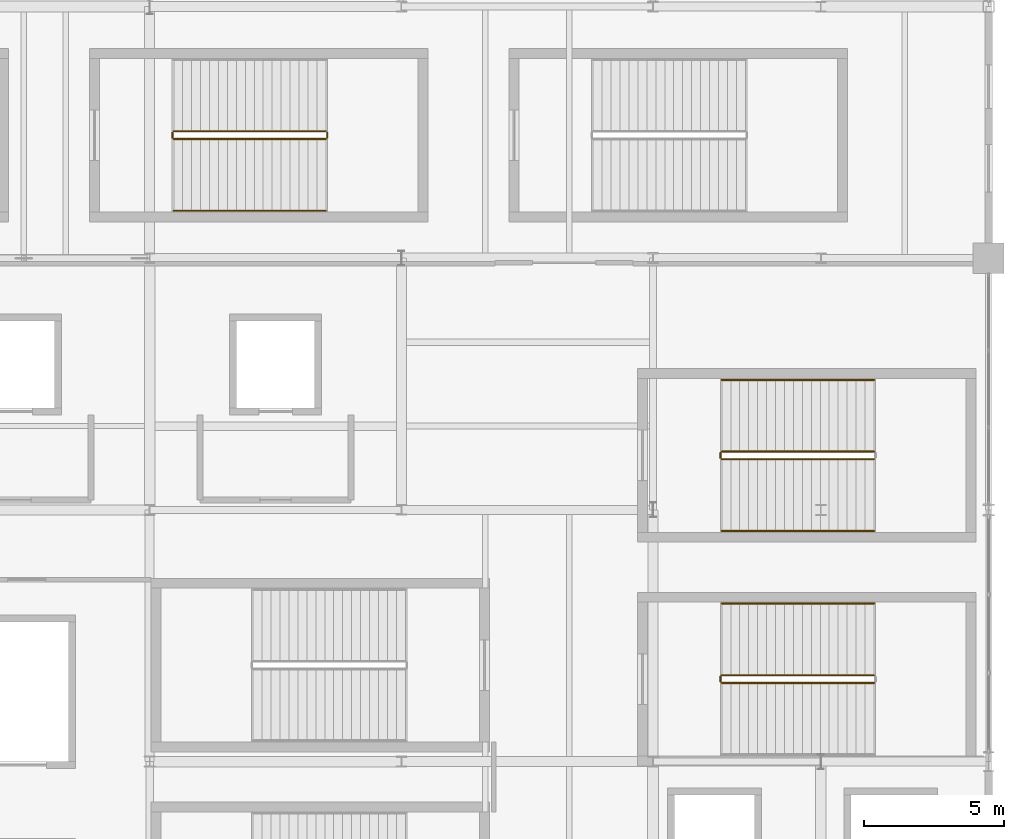
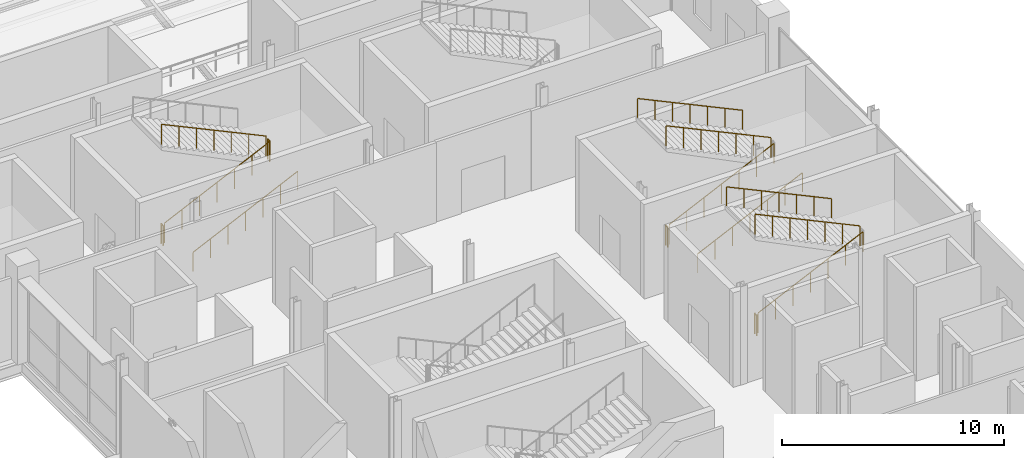
# One storey, part 115 of 119: 14 railings.
"""IFC4 building model written with IfcOpenShell, lengths in metres."""

from ifc_helpers import new_model, si_unit, direction, frame, origin, origin_2d, place, context, subcontext, project, spatial, circle, extrude, material, type_object, element, save


model = new_model("IFC4")

# Units and contexts
model_context = context("Model", 3, precision=1e-05, world=origin(), true_north=direction((0.0, 1.0)))
body_context = subcontext(model_context, "Body", "Model", "MODEL_VIEW")
ifc_project = project(units=[si_unit("LENGTHUNIT", "METRE"), si_unit("AREAUNIT", "SQUARE_METRE"), si_unit("VOLUMEUNIT", "CUBIC_METRE"), si_unit("PLANEANGLEUNIT", "RADIAN"), si_unit("MASSUNIT", "GRAM", prefix="KILO")], contexts=[model_context])

# Site, building, storey
site_placement = place(None, origin())
site = spatial("IfcSite", under=ifc_project, at=site_placement, CompositionType="ELEMENT")
building_placement = place(site_placement, origin())
building = spatial("IfcBuilding", under=site, at=building_placement, Name="Qamarlyn Nura Convention Centre", CompositionType="ELEMENT")
storey_placement = place(building_placement, frame((0.0, 0.0, 5.39990234375)))
storey = spatial("IfcBuildingStorey", under=building, at=storey_placement, Name="L01", CompositionType="ELEMENT", Elevation=5.39990234375)

# Railings
ifc_material = material(Name="Marine Grade 316 stainless steel", Category="steel")
railing_type_1 = type_object("IfcRailingType", Name="GRD-STAIR-112", PredefinedType="BALUSTRADE", material=ifc_material)
railing_1_placement = place(storey_placement, frame((182.4599609375, 65.81005859375, 0.150146484375)))
element("IfcRailing", 1, at=railing_1_placement, inside=storey, type_object=railing_type_1, Name="L01 ST-13 stair guard 1", PredefinedType="BALUSTRADE", context=body_context, shape_type="SweptSolid", body=[
    extrude(circle(Radius=0.02392578125, at=origin_2d()), frame((0.0, 0.0, 1.09619140625), z_axis=(0.90545405566, 0.0, 0.424444287379), x_axis=(0.0, 1.0, 0.0)), (0.0, 0.0, 1.0), 6.008056640625),
    extrude(circle(Radius=0.02099609375, at=origin_2d()), origin(), (0.0, 0.0, 1.0), 1.070068359375),
    extrude(circle(Radius=0.02099609375, at=origin_2d()), frame((0.90673828125, 0.0, 0.425048828125)), (0.0, 0.0, 1.0), 1.070068359375),
    extrude(circle(Radius=0.02099609375, at=origin_2d()), frame((1.813232421875, 0.0, 0.85009765625)), (0.0, 0.0, 1.0), 1.070068359375),
    extrude(circle(Radius=0.02099609375, at=origin_2d()), frame((2.719970703125, 0.0, 1.27490234375)), (0.0, 0.0, 1.0), 1.070068359375),
    extrude(circle(Radius=0.02099609375, at=origin_2d()), frame((3.626708984375, 0.0, 1.699951171875)), (0.0, 0.0, 1.0), 1.070068359375),
    extrude(circle(Radius=0.02099609375, at=origin_2d()), frame((4.533203125, 0.0, 2.125)), (0.0, 0.0, 1.0), 1.070068359375),
    extrude(circle(Radius=0.02099609375, at=origin_2d()), frame((5.43994140625, 0.0, 2.550048828125)), (0.0, 0.0, 1.0), 1.070068359375),
])
railing_2_placement = place(storey_placement, frame((187.89990234375, 66.090087890625, 2.85009765625)))
element("IfcRailing", 2, at=railing_2_placement, inside=storey, type_object=railing_type_1, Name="L01 ST-13 stair guard 3", PredefinedType="BALUSTRADE", context=body_context, shape_type="SweptSolid", body=[
    extrude(circle(Radius=0.02392578125, at=origin_2d()), frame((0.0, 0.0, 1.09619140625), z_axis=(-0.90545405566, 0.0, 0.424444287379), x_axis=(0.0, -1.0, 0.0)), (0.0, 0.0, 1.0), 6.008056640625),
    extrude(circle(Radius=0.02099609375, at=origin_2d()), origin(), (0.0, 0.0, 1.0), 1.070068359375),
    extrude(circle(Radius=0.02099609375, at=origin_2d()), frame((-0.90673828125, 0.0, 0.425048828125)), (0.0, 0.0, 1.0), 1.070068359375),
    extrude(circle(Radius=0.02099609375, at=origin_2d()), frame((-1.813232421875, 0.0, 0.85009765625)), (0.0, 0.0, 1.0), 1.070068359375),
    extrude(circle(Radius=0.02099609375, at=origin_2d()), frame((-2.719970703125, 0.0, 1.27490234375)), (0.0, 0.0, 1.0), 1.070068359375),
    extrude(circle(Radius=0.02099609375, at=origin_2d()), frame((-3.626708984375, 0.0, 1.699951171875)), (0.0, 0.0, 1.0), 1.070068359375),
    extrude(circle(Radius=0.02099609375, at=origin_2d()), frame((-4.533203125, 0.0, 2.125)), (0.0, 0.0, 1.0), 1.070068359375),
    extrude(circle(Radius=0.02099609375, at=origin_2d()), frame((-5.43994140625, 0.0, 2.550048828125)), (0.0, 0.0, 1.0), 1.070068359375),
])
railing_3_placement = place(storey_placement, frame((182.409912109375, 65.860107421875, 0.0)))
element("IfcRailing", 3, at=railing_3_placement, inside=storey, type_object=railing_type_1, Name="L01 ST-13 stair guard 4", PredefinedType="BALUSTRADE", context=body_context, shape_type="SweptSolid", body=[
    extrude(circle(Radius=0.02392578125, at=origin_2d()), frame((0.0, 0.0, 1.09619140625), z_axis=(0.0, 1.0, 0.0), x_axis=(-1.0, 0.0, 0.0)), (0.0, 0.0, 1.0), 0.179931640625),
    extrude(circle(Radius=0.02099609375, at=origin_2d()), origin(), (0.0, 0.0, 1.0), 1.070068359375),
    extrude(circle(Radius=0.02099609375, at=origin_2d()), frame((0.0, 0.179931640625, 0.0)), (0.0, 0.0, 1.0), 1.070068359375),
])
railing_4_placement = place(storey_placement, frame((182.4599609375, 73.81005859375, 0.150146484375)))
element("IfcRailing", 4, at=railing_4_placement, inside=storey, type_object=railing_type_1, Name="L01 ST-14 stair guard 1", PredefinedType="BALUSTRADE", context=body_context, shape_type="SweptSolid", body=[
    extrude(circle(Radius=0.02392578125, at=origin_2d()), frame((0.0, 0.0, 1.09619140625), z_axis=(0.90545405566, 0.0, 0.424444287379), x_axis=(0.0, 1.0, 0.0)), (0.0, 0.0, 1.0), 6.008056640625),
    extrude(circle(Radius=0.02099609375, at=origin_2d()), origin(), (0.0, 0.0, 1.0), 1.070068359375),
    extrude(circle(Radius=0.02099609375, at=origin_2d()), frame((0.90673828125, 0.0, 0.425048828125)), (0.0, 0.0, 1.0), 1.070068359375),
    extrude(circle(Radius=0.02099609375, at=origin_2d()), frame((1.813232421875, 0.0, 0.85009765625)), (0.0, 0.0, 1.0), 1.070068359375),
    extrude(circle(Radius=0.02099609375, at=origin_2d()), frame((2.719970703125, 0.0, 1.27490234375)), (0.0, 0.0, 1.0), 1.070068359375),
    extrude(circle(Radius=0.02099609375, at=origin_2d()), frame((3.626708984375, 0.0, 1.699951171875)), (0.0, 0.0, 1.0), 1.070068359375),
    extrude(circle(Radius=0.02099609375, at=origin_2d()), frame((4.533203125, 0.0, 2.125)), (0.0, 0.0, 1.0), 1.070068359375),
    extrude(circle(Radius=0.02099609375, at=origin_2d()), frame((5.43994140625, 0.0, 2.550048828125)), (0.0, 0.0, 1.0), 1.070068359375),
])
railing_5_placement = place(storey_placement, frame((187.89990234375, 74.090087890625, 2.85009765625)))
element("IfcRailing", 5, at=railing_5_placement, inside=storey, type_object=railing_type_1, Name="L01 ST-14 stair guard 3", PredefinedType="BALUSTRADE", context=body_context, shape_type="SweptSolid", body=[
    extrude(circle(Radius=0.02392578125, at=origin_2d()), frame((0.0, 0.0, 1.09619140625), z_axis=(-0.90545405566, 0.0, 0.424444287379), x_axis=(0.0, -1.0, 0.0)), (0.0, 0.0, 1.0), 6.008056640625),
    extrude(circle(Radius=0.02099609375, at=origin_2d()), origin(), (0.0, 0.0, 1.0), 1.070068359375),
    extrude(circle(Radius=0.02099609375, at=origin_2d()), frame((-0.90673828125, 0.0, 0.425048828125)), (0.0, 0.0, 1.0), 1.070068359375),
    extrude(circle(Radius=0.02099609375, at=origin_2d()), frame((-1.813232421875, 0.0, 0.85009765625)), (0.0, 0.0, 1.0), 1.070068359375),
    extrude(circle(Radius=0.02099609375, at=origin_2d()), frame((-2.719970703125, 0.0, 1.27490234375)), (0.0, 0.0, 1.0), 1.070068359375),
    extrude(circle(Radius=0.02099609375, at=origin_2d()), frame((-3.626708984375, 0.0, 1.699951171875)), (0.0, 0.0, 1.0), 1.070068359375),
    extrude(circle(Radius=0.02099609375, at=origin_2d()), frame((-4.533203125, 0.0, 2.125)), (0.0, 0.0, 1.0), 1.070068359375),
    extrude(circle(Radius=0.02099609375, at=origin_2d()), frame((-5.43994140625, 0.0, 2.550048828125)), (0.0, 0.0, 1.0), 1.070068359375),
])
railing_6_placement = place(storey_placement, frame((182.409912109375, 73.860107421875, 0.0)))
element("IfcRailing", 6, at=railing_6_placement, inside=storey, type_object=railing_type_1, Name="L01 ST-14 stair guard 4", PredefinedType="BALUSTRADE", context=body_context, shape_type="SweptSolid", body=[
    extrude(circle(Radius=0.02392578125, at=origin_2d()), frame((0.0, 0.0, 1.09619140625), z_axis=(0.0, 1.0, 0.0), x_axis=(-1.0, 0.0, 0.0)), (0.0, 0.0, 1.0), 0.179931640625),
    extrude(circle(Radius=0.02099609375, at=origin_2d()), origin(), (0.0, 0.0, 1.0), 1.070068359375),
    extrude(circle(Radius=0.02099609375, at=origin_2d()), frame((0.0, 0.179931640625, 0.0)), (0.0, 0.0, 1.0), 1.070068359375),
])
railing_7_placement = place(storey_placement, frame((162.860107421875, 85.260009765625, 0.150146484375)))
element("IfcRailing", 7, at=railing_7_placement, inside=storey, type_object=railing_type_1, Name="L01 ST-16 stair guard 1", PredefinedType="BALUSTRADE", context=body_context, shape_type="SweptSolid", body=[
    extrude(circle(Radius=0.02392578125, at=origin_2d()), frame((0.0, 0.0, 1.09619140625), z_axis=(0.90545405566, 0.0, 0.424444287379), x_axis=(0.0, 1.0, 0.0)), (0.0, 0.0, 1.0), 6.008056640625),
    extrude(circle(Radius=0.02099609375, at=origin_2d()), origin(), (0.0, 0.0, 1.0), 1.070068359375),
    extrude(circle(Radius=0.02099609375, at=origin_2d()), frame((0.90673828125, 0.0, 0.425048828125)), (0.0, 0.0, 1.0), 1.070068359375),
    extrude(circle(Radius=0.02099609375, at=origin_2d()), frame((1.813232421875, 0.0, 0.85009765625)), (0.0, 0.0, 1.0), 1.070068359375),
    extrude(circle(Radius=0.02099609375, at=origin_2d()), frame((2.719970703125, 0.0, 1.27490234375)), (0.0, 0.0, 1.0), 1.070068359375),
    extrude(circle(Radius=0.02099609375, at=origin_2d()), frame((3.626708984375, 0.0, 1.699951171875)), (0.0, 0.0, 1.0), 1.070068359375),
    extrude(circle(Radius=0.02099609375, at=origin_2d()), frame((4.533203125, 0.0, 2.125)), (0.0, 0.0, 1.0), 1.070068359375),
    extrude(circle(Radius=0.02099609375, at=origin_2d()), frame((5.43994140625, 0.0, 2.550048828125)), (0.0, 0.0, 1.0), 1.070068359375),
])
railing_8_placement = place(storey_placement, frame((168.35009765625, 85.31005859375, 2.7001953125)))
element("IfcRailing", 8, at=railing_8_placement, inside=storey, type_object=railing_type_1, Name="L01 ST-16 stair guard 2", PredefinedType="BALUSTRADE", context=body_context, shape_type="SweptSolid", body=[
    extrude(circle(Radius=0.02392578125, at=origin_2d()), frame((0.0, 0.0, 1.09619140625), z_axis=(0.0, 1.0, 0.0), x_axis=(-1.0, 0.0, 0.0)), (0.0, 0.0, 1.0), 0.179931640625),
    extrude(circle(Radius=0.02099609375, at=origin_2d()), origin(), (0.0, 0.0, 1.0), 1.070068359375),
    extrude(circle(Radius=0.02099609375, at=origin_2d()), frame((0.0, 0.179931640625, 0.0)), (0.0, 0.0, 1.0), 1.070068359375),
])
railing_9_placement = place(storey_placement, frame((168.300048828125, 85.5400390625, 2.85009765625)))
element("IfcRailing", 9, at=railing_9_placement, inside=storey, type_object=railing_type_1, Name="L01 ST-16 stair guard 3", PredefinedType="BALUSTRADE", context=body_context, shape_type="SweptSolid", body=[
    extrude(circle(Radius=0.02392578125, at=origin_2d()), frame((0.0, 0.0, 1.09619140625), z_axis=(-0.90545405566, 0.0, 0.424444287379), x_axis=(0.0, -1.0, 0.0)), (0.0, 0.0, 1.0), 6.008056640625),
    extrude(circle(Radius=0.02099609375, at=origin_2d()), origin(), (0.0, 0.0, 1.0), 1.070068359375),
    extrude(circle(Radius=0.02099609375, at=origin_2d()), frame((-0.90673828125, 0.0, 0.425048828125)), (0.0, 0.0, 1.0), 1.070068359375),
    extrude(circle(Radius=0.02099609375, at=origin_2d()), frame((-1.813232421875, 0.0, 0.85009765625)), (0.0, 0.0, 1.0), 1.070068359375),
    extrude(circle(Radius=0.02099609375, at=origin_2d()), frame((-2.719970703125, 0.0, 1.27490234375)), (0.0, 0.0, 1.0), 1.070068359375),
    extrude(circle(Radius=0.02099609375, at=origin_2d()), frame((-3.626708984375, 0.0, 1.699951171875)), (0.0, 0.0, 1.0), 1.070068359375),
    extrude(circle(Radius=0.02099609375, at=origin_2d()), frame((-4.533203125, 0.0, 2.125)), (0.0, 0.0, 1.0), 1.070068359375),
    extrude(circle(Radius=0.02099609375, at=origin_2d()), frame((-5.43994140625, 0.0, 2.550048828125)), (0.0, 0.0, 1.0), 1.070068359375),
])
railing_10_placement = place(storey_placement, frame((162.81005859375, 85.31005859375, 0.0)))
element("IfcRailing", 10, at=railing_10_placement, inside=storey, type_object=railing_type_1, Name="L01 ST-16 stair guard 4", PredefinedType="BALUSTRADE", context=body_context, shape_type="SweptSolid", body=[
    extrude(circle(Radius=0.02392578125, at=origin_2d()), frame((0.0, 0.0, 1.09619140625), z_axis=(0.0, 1.0, 0.0), x_axis=(-1.0, 0.0, 0.0)), (0.0, 0.0, 1.0), 0.179931640625),
    extrude(circle(Radius=0.02099609375, at=origin_2d()), origin(), (0.0, 0.0, 1.0), 1.070068359375),
    extrude(circle(Radius=0.02099609375, at=origin_2d()), frame((0.0, 0.179931640625, 0.0)), (0.0, 0.0, 1.0), 1.070068359375),
])
railing_type_2 = type_object("IfcRailingType", Name="HRL-STAIR-090", PredefinedType="HANDRAIL", material=ifc_material)
railing_11_placement = place(storey_placement, frame((187.89990234375, 68.64990234375, 3.00244140625)))
element("IfcRailing", 11, at=railing_11_placement, inside=storey, type_object=railing_type_2, Name="L01 ST-13 stair handrail 2", PredefinedType="HANDRAIL", context=body_context, shape_type="SweptSolid", body=[
    extrude(circle(Radius=0.02392578125, at=origin_2d()), frame((0.0, 0.0, 0.88818359375), z_axis=(-0.90545405566, 0.0, 0.424444287379), x_axis=(0.0, -1.0, 0.0)), (0.0, 0.0, 1.0), 6.008056640625),
    extrude(circle(Radius=0.02099609375, at=origin_2d()), frame((0.0, 0.0, -0.155029296875)), (0.0, 0.0, 1.0), 1.01708984375),
    extrude(circle(Radius=0.02099609375, at=origin_2d()), frame((-0.90673828125, 0.0, 0.27001953125)), (0.0, 0.0, 1.0), 1.01708984375),
    extrude(circle(Radius=0.02099609375, at=origin_2d()), frame((-1.813232421875, 0.0, 0.695068359375)), (0.0, 0.0, 1.0), 1.01708984375),
    extrude(circle(Radius=0.02099609375, at=origin_2d()), frame((-2.719970703125, 0.0, 1.1201171875)), (0.0, 0.0, 1.0), 1.01708984375),
    extrude(circle(Radius=0.02099609375, at=origin_2d()), frame((-3.626708984375, 0.0, 1.544921875)), (0.0, 0.0, 1.0), 1.01708984375),
    extrude(circle(Radius=0.02099609375, at=origin_2d()), frame((-4.533203125, 0.0, 1.969970703125)), (0.0, 0.0, 1.0), 1.01708984375),
    extrude(circle(Radius=0.02099609375, at=origin_2d()), frame((-5.43994140625, 0.0, 2.39501953125)), (0.0, 0.0, 1.0), 1.01708984375),
])
railing_12_placement = place(storey_placement, frame((182.4599609375, 71.25, 0.302490234375)))
element("IfcRailing", 12, at=railing_12_placement, inside=storey, type_object=railing_type_2, Name="L01 ST-14 stair handrail 1", PredefinedType="HANDRAIL", context=body_context, shape_type="SweptSolid", body=[
    extrude(circle(Radius=0.02392578125, at=origin_2d()), frame((0.0, 0.0, 0.88818359375), z_axis=(0.90546967238, 0.0, 0.424410971113), x_axis=(0.0, 1.0, 0.0)), (0.0, 0.0, 1.0), 6.0078125),
    extrude(circle(Radius=0.02099609375, at=origin_2d()), frame((0.0, 0.0, -0.155029296875)), (0.0, 0.0, 1.0), 1.01708984375),
    extrude(circle(Radius=0.02099609375, at=origin_2d()), frame((0.90673828125, 0.0, 0.27001953125)), (0.0, 0.0, 1.0), 1.01708984375),
    extrude(circle(Radius=0.02099609375, at=origin_2d()), frame((1.813232421875, 0.0, 0.69482421875)), (0.0, 0.0, 1.0), 1.01708984375),
    extrude(circle(Radius=0.02099609375, at=origin_2d()), frame((2.719970703125, 0.0, 1.119873046875)), (0.0, 0.0, 1.0), 1.01708984375),
    extrude(circle(Radius=0.02099609375, at=origin_2d()), frame((3.626708984375, 0.0, 1.544921875)), (0.0, 0.0, 1.0), 1.01708984375),
    extrude(circle(Radius=0.02099609375, at=origin_2d()), frame((4.533203125, 0.0, 1.9697265625)), (0.0, 0.0, 1.0), 1.01708984375),
    extrude(circle(Radius=0.02099609375, at=origin_2d()), frame((5.43994140625, 0.0, 2.394775390625)), (0.0, 0.0, 1.0), 1.01708984375),
])
railing_13_placement = place(storey_placement, frame((187.89990234375, 76.64990234375, 3.00244140625)))
element("IfcRailing", 13, at=railing_13_placement, inside=storey, type_object=railing_type_2, Name="L01 ST-14 stair handrail 2", PredefinedType="HANDRAIL", context=body_context, shape_type="SweptSolid", body=[
    extrude(circle(Radius=0.02392578125, at=origin_2d()), frame((0.0, 0.0, 0.88818359375), z_axis=(-0.90545405566, 0.0, 0.424444287379), x_axis=(0.0, -1.0, 0.0)), (0.0, 0.0, 1.0), 6.008056640625),
    extrude(circle(Radius=0.02099609375, at=origin_2d()), frame((0.0, 0.0, -0.155029296875)), (0.0, 0.0, 1.0), 1.01708984375),
    extrude(circle(Radius=0.02099609375, at=origin_2d()), frame((-0.90673828125, 0.0, 0.27001953125)), (0.0, 0.0, 1.0), 1.01708984375),
    extrude(circle(Radius=0.02099609375, at=origin_2d()), frame((-1.813232421875, 0.0, 0.695068359375)), (0.0, 0.0, 1.0), 1.01708984375),
    extrude(circle(Radius=0.02099609375, at=origin_2d()), frame((-2.719970703125, 0.0, 1.1201171875)), (0.0, 0.0, 1.0), 1.01708984375),
    extrude(circle(Radius=0.02099609375, at=origin_2d()), frame((-3.626708984375, 0.0, 1.544921875)), (0.0, 0.0, 1.0), 1.01708984375),
    extrude(circle(Radius=0.02099609375, at=origin_2d()), frame((-4.533203125, 0.0, 1.969970703125)), (0.0, 0.0, 1.0), 1.01708984375),
    extrude(circle(Radius=0.02099609375, at=origin_2d()), frame((-5.43994140625, 0.0, 2.39501953125)), (0.0, 0.0, 1.0), 1.01708984375),
])
railing_14_placement = place(storey_placement, frame((162.860107421875, 82.699951171875, 0.302490234375)))
element("IfcRailing", 14, at=railing_14_placement, inside=storey, type_object=railing_type_2, Name="L01 ST-16 stair handrail 1", PredefinedType="HANDRAIL", context=body_context, shape_type="SweptSolid", body=[
    extrude(circle(Radius=0.02392578125, at=origin_2d()), frame((0.0, 0.0, 0.88818359375), z_axis=(0.90546967238, 0.0, 0.424410971113), x_axis=(0.0, 1.0, 0.0)), (0.0, 0.0, 1.0), 6.0078125),
    extrude(circle(Radius=0.02099609375, at=origin_2d()), frame((0.0, 0.0, -0.155029296875)), (0.0, 0.0, 1.0), 1.01708984375),
    extrude(circle(Radius=0.02099609375, at=origin_2d()), frame((0.90673828125, 0.0, 0.27001953125)), (0.0, 0.0, 1.0), 1.01708984375),
    extrude(circle(Radius=0.02099609375, at=origin_2d()), frame((1.813232421875, 0.0, 0.69482421875)), (0.0, 0.0, 1.0), 1.01708984375),
    extrude(circle(Radius=0.02099609375, at=origin_2d()), frame((2.719970703125, 0.0, 1.119873046875)), (0.0, 0.0, 1.0), 1.01708984375),
    extrude(circle(Radius=0.02099609375, at=origin_2d()), frame((3.626708984375, 0.0, 1.544921875)), (0.0, 0.0, 1.0), 1.01708984375),
    extrude(circle(Radius=0.02099609375, at=origin_2d()), frame((4.533203125, 0.0, 1.9697265625)), (0.0, 0.0, 1.0), 1.01708984375),
    extrude(circle(Radius=0.02099609375, at=origin_2d()), frame((5.43994140625, 0.0, 2.394775390625)), (0.0, 0.0, 1.0), 1.01708984375),
])

save(model, "model.ifc")
